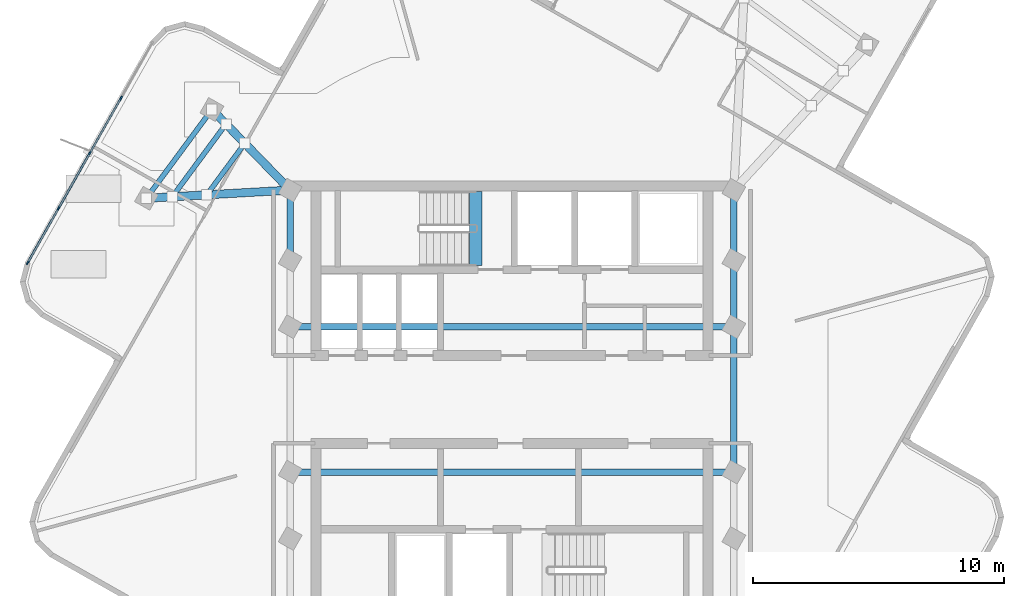
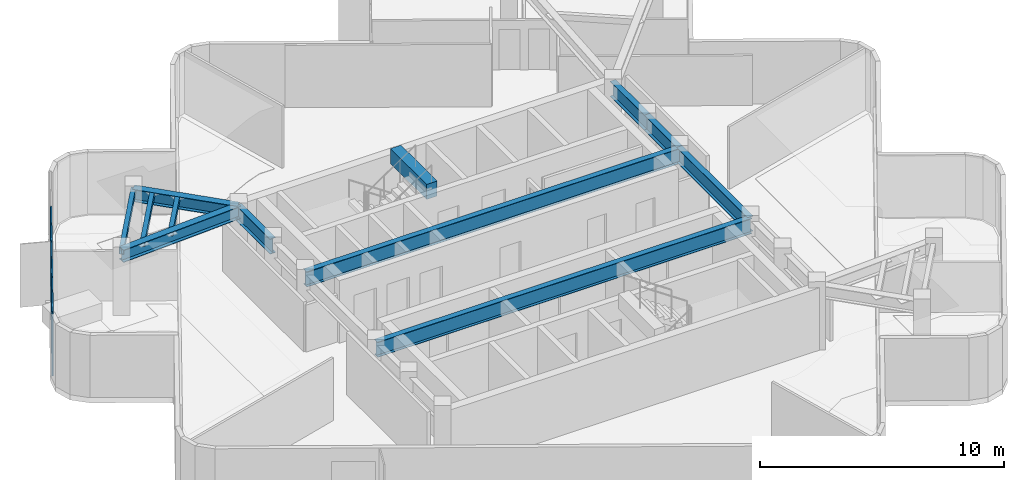
# One storey, part 2 of 11: 12 beams, 10 members, 1 element without a shape of its own.
"""IFC4 building model written with IfcOpenShell, lengths in metres."""

from ifc_helpers import new_model, si_unit, direction, frame, origin, origin_2d, place, context, subcontext, project, spatial, rectangle, hollow_rectangle, i_section, extrude, material, layer, layer_set, material_profile, profile_set, type_object, element, aggregate, save


model = new_model("IFC4")

# Units and contexts
model_context = context("Model", 3, precision=1e-05, world=origin(), true_north=direction((0.0, 1.0)))
body_context = subcontext(model_context, "Body", "Model", "MODEL_VIEW")
ifc_project = project(units=[si_unit("LENGTHUNIT", "METRE"), si_unit("AREAUNIT", "SQUARE_METRE"), si_unit("VOLUMEUNIT", "CUBIC_METRE"), si_unit("PLANEANGLEUNIT", "RADIAN"), si_unit("MASSUNIT", "GRAM", prefix="KILO")], contexts=[model_context])

# Site, building, storey
site_placement = place(None, origin())
site = spatial("IfcSite", under=ifc_project, at=site_placement, CompositionType="ELEMENT")
building_placement = place(site_placement, origin())
building = spatial("IfcBuilding", under=site, at=building_placement, Name="Solmarez Civic Tower", CompositionType="ELEMENT")
storey_placement = place(building_placement, frame((0.0, 0.0, 281.699951171875)))
storey = spatial("IfcBuildingStorey", under=building, at=storey_placement, Name="L76", CompositionType="ELEMENT", Elevation=281.699951171875)

# Beams
ifc_material_1 = material(Name="Steel S355", Category="steel")
ifc_material_profile_1 = material_profile(ifc_material_1, hollow_rectangle(XDim=0.199951171875, YDim=0.300048828125, WallThickness=0.011962890625, at=origin_2d()), Name="HSS300X200X12")
ifc_profile_set_1 = profile_set([ifc_material_profile_1], Name="Steel S355")
beam_type_1 = type_object("IfcBeamType", Name="BM-JS-HSS300X200", PredefinedType="JOIST", material=ifc_profile_set_1)
beam_1_placement = place(storey_placement, frame((-11.970947265625, 11.56591796875, 2.969970703125), z_axis=(-0.593730834471, -0.804663716219, 0.0), x_axis=(0.804663716219, -0.593730834471, 0.0)))
element("IfcBeam", 1, at=beam_1_placement, inside=storey, type_object=beam_type_1, Name="L76 Secondary Floor Joist BM-L76-NA-T1", PredefinedType="JOIST", context=body_context, shape_type="SweptSolid", body=[
    extrude(hollow_rectangle(XDim=0.199951171875, YDim=0.300048828125, WallThickness=0.011962890625, at=origin_2d()), origin(), (0.0, 0.0, 1.0), 4.3994140625),
])
beam_2_placement = place(storey_placement, frame((-10.659912109375, 10.215087890625, 2.969970703125), z_axis=(-0.593812477683, -0.804603468392, 0.0), x_axis=(0.804603468392, -0.593812477683, 0.0)))
element("IfcBeam", 2, at=beam_2_placement, inside=storey, type_object=beam_type_1, Name="L76 Secondary Floor Joist JS-L76-NA-M11", PredefinedType="JOIST", context=body_context, shape_type="SweptSolid", body=[
    extrude(hollow_rectangle(XDim=0.199951171875, YDim=0.300048828125, WallThickness=0.011962890625, at=origin_2d()), origin(), (0.0, 0.0, 1.0), 2.551513671875),
])
beam_3_placement = place(storey_placement, frame((-11.408935546875, 10.987060546875, 2.969970703125), z_axis=(-0.593734433343, -0.804661060735, 0.0), x_axis=(0.804661060735, -0.593734433343, 0.0)))
element("IfcBeam", 3, at=beam_3_placement, inside=storey, type_object=beam_type_1, Name="L76 Secondary Floor Joist JS-L76-NA-M12", PredefinedType="JOIST", context=body_context, shape_type="SweptSolid", body=[
    extrude(hollow_rectangle(XDim=0.199951171875, YDim=0.300048828125, WallThickness=0.011962890625, at=origin_2d()), origin(), (0.0, 0.0, 1.0), 3.60791015625),
])
ifc_material_2 = material(Name="Concrete C50/60", Category="concrete")
ifc_material_profile_2 = material_profile(ifc_material_2, rectangle(XDim=0.5, YDim=0.75, at=origin_2d()), Name="RC500X750")
ifc_profile_set_2 = profile_set([ifc_material_profile_2], Name="Concrete C50/60")
beam_type_2 = type_object("IfcBeamType", Name="BM-PR-RC500X750", PredefinedType="BEAM", material=ifc_profile_set_2)
beam_4_placement = place(storey_placement, frame((-1.449951171875, 5.340087890625, 3.052978515625), z_axis=(0.0, 1.0, 0.0), x_axis=(-1.0, 0.0, 0.0)))
element("IfcBeam", 4, at=beam_4_placement, inside=storey, type_object=beam_type_2, Name="L76 North Stair Threshold Beam", PredefinedType="BEAM", context=body_context, shape_type="SweptSolid", body=[
    extrude(rectangle(XDim=0.5, YDim=0.75, at=origin_2d()), origin(), (0.0, 0.0, 1.0), 2.9599609375),
])
ifc_material_profile_3 = material_profile(ifc_material_1, i_section(OverallWidth=0.327880859375, OverallDepth=0.6220703125, WebThickness=0.015380859375, FlangeThickness=0.0244140625, at=origin_2d()), Name="W24X131")
ifc_profile_set_3 = profile_set([ifc_material_profile_3], Name="Steel S355")
beam_type_3 = type_object("IfcBeamType", Name="BM-PR-W24X131", PredefinedType="BEAM", material=ifc_profile_set_3)
beam_5_placement = place(storey_placement, frame((-8.85009765625, 8.35009765625, 2.80908203125), z_axis=(-0.696430820305, 0.717623935309, 0.0), x_axis=(-0.717623935309, -0.696430820305, 0.0)))
element("IfcBeam", 5, at=beam_5_placement, inside=storey, type_object=beam_type_3, Name="L76 Primary Floor Beam BM-L76-NA-R1A", PredefinedType="BEAM", context=body_context, shape_type="SweptSolid", body=[
    extrude(i_section(OverallWidth=0.327880859375, OverallDepth=0.6220703125, WebThickness=0.015380859375, FlangeThickness=0.0244140625, at=origin_2d()), origin(), (0.0, 0.0, 1.0), 4.481201171875),
])
beam_6_placement = place(storey_placement, frame((-8.85009765625, 8.35009765625, 2.80908203125), z_axis=(-0.998404650863, -0.056463732917, 0.0), x_axis=(0.056463732917, -0.998404650863, 0.0)))
element("IfcBeam", 6, at=beam_6_placement, inside=storey, type_object=beam_type_3, Name="L76 Primary Floor Beam BM-L76-NA-R1B", PredefinedType="BEAM", context=body_context, shape_type="SweptSolid", body=[
    extrude(i_section(OverallWidth=0.327880859375, OverallDepth=0.6220703125, WebThickness=0.015380859375, FlangeThickness=0.0244140625, at=origin_2d()), origin(), (0.0, 0.0, 1.0), 5.7421875),
])
ifc_material_profile_4 = material_profile(ifc_material_1, i_section(OverallWidth=0.26708984375, OverallDepth=0.761962890625, WebThickness=0.014404296875, FlangeThickness=0.021484375, at=origin_2d()), Name="W30X116")
ifc_profile_set_4 = profile_set([ifc_material_profile_4], Name="Steel S355")
beam_type_4 = type_object("IfcBeamType", Name="BM-PR-W30X116", PredefinedType="BEAM", material=ifc_profile_set_4)
beam_7_placement = place(storey_placement, frame((-8.85009765625, 5.550048828125, 2.739013671875), z_axis=(0.0, 1.0, 0.0), x_axis=(-1.0, 0.0, 0.0)))
element("IfcBeam", 7, at=beam_7_placement, inside=storey, type_object=beam_type_4, Name="L76 Primary Floor Beam BM-L76-HC4-HC9", PredefinedType="BEAM", context=body_context, shape_type="SweptSolid", body=[
    extrude(i_section(OverallWidth=0.26708984375, OverallDepth=0.761962890625, WebThickness=0.014404296875, FlangeThickness=0.021484375, at=origin_2d()), origin(), (0.0, 0.0, 1.0), 2.800048828125),
])
beam_8_placement = place(storey_placement, frame((8.85009765625, -2.89990234375, 2.739013671875), z_axis=(0.0, 1.0, 0.0), x_axis=(-1.0, 0.0, 0.0)))
element("IfcBeam", 8, at=beam_8_placement, inside=storey, type_object=beam_type_4, Name="L76 Primary Floor Beam BM-L76-HC6-HC7", PredefinedType="BEAM", context=body_context, shape_type="SweptSolid", body=[
    extrude(i_section(OverallWidth=0.26708984375, OverallDepth=0.761962890625, WebThickness=0.014404296875, FlangeThickness=0.021484375, at=origin_2d()), origin(), (0.0, 0.0, 1.0), 5.7998046875),
])
beam_9_placement = place(storey_placement, frame((8.85009765625, 2.89990234375, 2.739013671875), z_axis=(0.0, 1.0, 0.0), x_axis=(-1.0, 0.0, 0.0)))
element("IfcBeam", 9, at=beam_9_placement, inside=storey, type_object=beam_type_4, Name="L76 Primary Floor Beam BM-L76-HC7-HC8", PredefinedType="BEAM", context=body_context, shape_type="SweptSolid", body=[
    extrude(i_section(OverallWidth=0.26708984375, OverallDepth=0.761962890625, WebThickness=0.014404296875, FlangeThickness=0.021484375, at=origin_2d()), origin(), (0.0, 0.0, 1.0), 2.650146484375),
])
beam_10_placement = place(storey_placement, frame((8.85009765625, 5.550048828125, 2.739013671875), z_axis=(0.0, 1.0, 0.0), x_axis=(-1.0, 0.0, 0.0)))
element("IfcBeam", 10, at=beam_10_placement, inside=storey, type_object=beam_type_4, Name="L76 Primary Floor Beam BM-L76-HC8-HC11", PredefinedType="BEAM", context=body_context, shape_type="SweptSolid", body=[
    extrude(i_section(OverallWidth=0.26708984375, OverallDepth=0.761962890625, WebThickness=0.014404296875, FlangeThickness=0.021484375, at=origin_2d()), origin(), (0.0, 0.0, 1.0), 2.800048828125),
])
for number, where, z_axis, x_axis, name in (
    (11, (-8.85009765625, -2.89990234375, 2.739013671875), (1.0, 0.0, 0.0), (0.0, 1.0, 0.0), "L76 Primary Floor Beam BM-L76-HC2-HC6"),
    (12, (-8.85009765625, 2.89990234375, 2.739013671875), (1.0, 0.0, 0.0), (0.0, 1.0, 0.0), "L76 Primary Floor Beam BM-L76-HC3-HC7"),
):
    element("IfcBeam", number, at=place(storey_placement, frame(where, z_axis=z_axis, x_axis=x_axis)), inside=storey, type_object=beam_type_4, Name=name, PredefinedType="BEAM", context=body_context, shape_type="SweptSolid", body=[
        extrude(i_section(OverallWidth=0.26708984375, OverallDepth=0.761962890625, WebThickness=0.014404296875, FlangeThickness=0.021484375, at=origin_2d()), origin(), (0.0, 0.0, 1.0), 17.7001953125),
    ])

# Curtain wall, members
ifc_material_3 = material(Name="Bronze Anodised Aluminium EN AW-6063 T6", Category="aluminium")
ifc_layer = layer(ifc_material_3, 0.1650390625)
ifc_layer_set = layer_set([ifc_layer], Name="Bronze Anodised Aluminium EN AW-6063 T6")
curtain_wall_type = type_object("IfcCurtainWallType", Name="CW-SYS-4", PredefinedType="NOTDEFINED", material=ifc_layer_set)
curtain_wall_placement = place(storey_placement, origin())
curtain_wall = element("IfcCurtainWall", 13, at=curtain_wall_placement, inside=storey, type_object=curtain_wall_type, Name="L76 Stick-Built Curtain Wall 1", PredefinedType="NOTDEFINED")
ifc_material_profile_5 = material_profile(ifc_material_3, rectangle(XDim=0.06005859375, YDim=0.14990234375, at=origin_2d()), Name="CWM-60X150")
ifc_profile_set_5 = profile_set([ifc_material_profile_5], Name="Bronze Anodised Aluminium EN AW-6063 T6")
member_type_1 = type_object("IfcMemberType", Name="CWM-TYPE-4", PredefinedType="MULLION", material=ifc_profile_set_5)
member_1_placement = place(storey_placement, frame((-19.32421875, 5.447021484375, 0.0), z_axis=(0.0, 0.0, 1.0), x_axis=(-0.87024806624, 0.492613746465, 0.0)))
member_1 = element("IfcMember", 14, at=member_1_placement, type_object=member_type_1, Name="CWS4 mullion 1", PredefinedType="MULLION", context=body_context, shape_type="SweptSolid", body=[
    extrude(rectangle(XDim=0.06005859375, YDim=0.14990234375, at=origin_2d()), origin(), (0.0, 0.0, 1.0), 3.1201171875),
])
member_2_placement = place(storey_placement, frame((-18.09228515625, 7.62353515625, 0.0), z_axis=(0.0, 0.0, 1.0), x_axis=(-0.87024806624, 0.492613746465, 0.0)))
member_2 = element("IfcMember", 15, at=member_2_placement, type_object=member_type_1, Name="CWS4 mullion 2", PredefinedType="MULLION", context=body_context, shape_type="SweptSolid", body=[
    extrude(rectangle(XDim=0.06005859375, YDim=0.14990234375, at=origin_2d()), origin(), (0.0, 0.0, 1.0), 3.1201171875),
])
member_3_placement = place(storey_placement, frame((-16.845458984375, 9.825927734375, 0.0), z_axis=(0.0, 0.0, 1.0), x_axis=(-0.87024806624, 0.492613746465, 0.0)))
member_3 = element("IfcMember", 16, at=member_3_placement, type_object=member_type_1, Name="CWS4 mullion 3", PredefinedType="MULLION", context=body_context, shape_type="SweptSolid", body=[
    extrude(rectangle(XDim=0.06005859375, YDim=0.14990234375, at=origin_2d()), origin(), (0.0, 0.0, 1.0), 3.1201171875),
])
member_4_placement = place(storey_placement, frame((-15.5986328125, 12.028564453125, 0.0), z_axis=(0.0, 0.0, 1.0), x_axis=(-0.87024806624, 0.492613746465, 0.0)))
member_4 = element("IfcMember", 17, at=member_4_placement, type_object=member_type_1, Name="CWS4 mullion 4", PredefinedType="MULLION", context=body_context, shape_type="SweptSolid", body=[
    extrude(rectangle(XDim=0.06005859375, YDim=0.14990234375, at=origin_2d()), origin(), (0.0, 0.0, 1.0), 3.1201171875),
])
ifc_material_profile_6 = material_profile(ifc_material_3, rectangle(XDim=0.070068359375, YDim=0.139892578125, at=origin_2d()), Name="CWT-70X140")
ifc_profile_set_6 = profile_set([ifc_material_profile_6], Name="Bronze Anodised Aluminium EN AW-6063 T6")
member_type_2 = type_object("IfcMemberType", Name="CWT-TYPE-1", PredefinedType="USERDEFINED", material=ifc_profile_set_6)
member_5_placement = place(storey_placement, frame((-19.309326171875, 5.47314453125, 0.03515625), z_axis=(0.492591073731, 0.870260900007, 0.0), x_axis=(-0.870260900007, 0.492591073731, 0.0)))
member_5 = element("IfcMember", 18, at=member_5_placement, type_object=member_type_2, Name="CWS4 transom 1.1", ObjectType="TRANSOM", PredefinedType="USERDEFINED", context=body_context, shape_type="SweptSolid", body=[
    extrude(rectangle(XDim=0.070068359375, YDim=0.139892578125, at=origin_2d()), origin(), (0.0, 0.0, 1.0), 2.44091796875),
])
member_6_placement = place(storey_placement, frame((-19.309326171875, 5.47314453125, 3.0849609375), z_axis=(0.492591073731, 0.870260900007, 0.0), x_axis=(-0.870260900007, 0.492591073731, 0.0)))
member_6 = element("IfcMember", 19, at=member_6_placement, type_object=member_type_2, Name="CWS4 transom 1.2", ObjectType="TRANSOM", PredefinedType="USERDEFINED", context=body_context, shape_type="SweptSolid", body=[
    extrude(rectangle(XDim=0.070068359375, YDim=0.139892578125, at=origin_2d()), origin(), (0.0, 0.0, 1.0), 2.44091796875),
])
member_7_placement = place(storey_placement, frame((-18.077392578125, 7.649658203125, 0.03515625), z_axis=(0.492591159741, 0.870260851323, 0.0), x_axis=(-0.870260851323, 0.492591159741, 0.0)))
member_7 = element("IfcMember", 20, at=member_7_placement, type_object=member_type_2, Name="CWS4 transom 2.1", ObjectType="TRANSOM", PredefinedType="USERDEFINED", context=body_context, shape_type="SweptSolid", body=[
    extrude(rectangle(XDim=0.070068359375, YDim=0.139892578125, at=origin_2d()), origin(), (0.0, 0.0, 1.0), 2.470703125),
])
member_8_placement = place(storey_placement, frame((-18.077392578125, 7.649658203125, 3.0849609375), z_axis=(0.492591159741, 0.870260851323, 0.0), x_axis=(-0.870260851323, 0.492591159741, 0.0)))
member_8 = element("IfcMember", 21, at=member_8_placement, type_object=member_type_2, Name="CWS4 transom 2.2", ObjectType="TRANSOM", PredefinedType="USERDEFINED", context=body_context, shape_type="SweptSolid", body=[
    extrude(rectangle(XDim=0.070068359375, YDim=0.139892578125, at=origin_2d()), origin(), (0.0, 0.0, 1.0), 2.470703125),
])
member_9_placement = place(storey_placement, frame((-16.830810546875, 9.85205078125, 0.03515625), z_axis=(0.492623632558, 0.870242470031, 0.0), x_axis=(-0.870242470031, 0.492623632558, 0.0)))
member_9 = element("IfcMember", 22, at=member_9_placement, type_object=member_type_2, Name="CWS4 transom 3.1", ObjectType="TRANSOM", PredefinedType="USERDEFINED", context=body_context, shape_type="SweptSolid", body=[
    extrude(rectangle(XDim=0.070068359375, YDim=0.139892578125, at=origin_2d()), origin(), (0.0, 0.0, 1.0), 2.470947265625),
])
member_10_placement = place(storey_placement, frame((-16.830810546875, 9.85205078125, 3.0849609375), z_axis=(0.492623632558, 0.870242470031, 0.0), x_axis=(-0.870242470031, 0.492623632558, 0.0)))
member_10 = element("IfcMember", 23, at=member_10_placement, type_object=member_type_2, Name="CWS4 transom 3.2", ObjectType="TRANSOM", PredefinedType="USERDEFINED", context=body_context, shape_type="SweptSolid", body=[
    extrude(rectangle(XDim=0.070068359375, YDim=0.139892578125, at=origin_2d()), origin(), (0.0, 0.0, 1.0), 2.470947265625),
])
aggregate(curtain_wall, [member_1, member_2, member_3, member_4, member_5, member_6, member_7, member_8, member_9, member_10])

save(model, "model.ifc")
